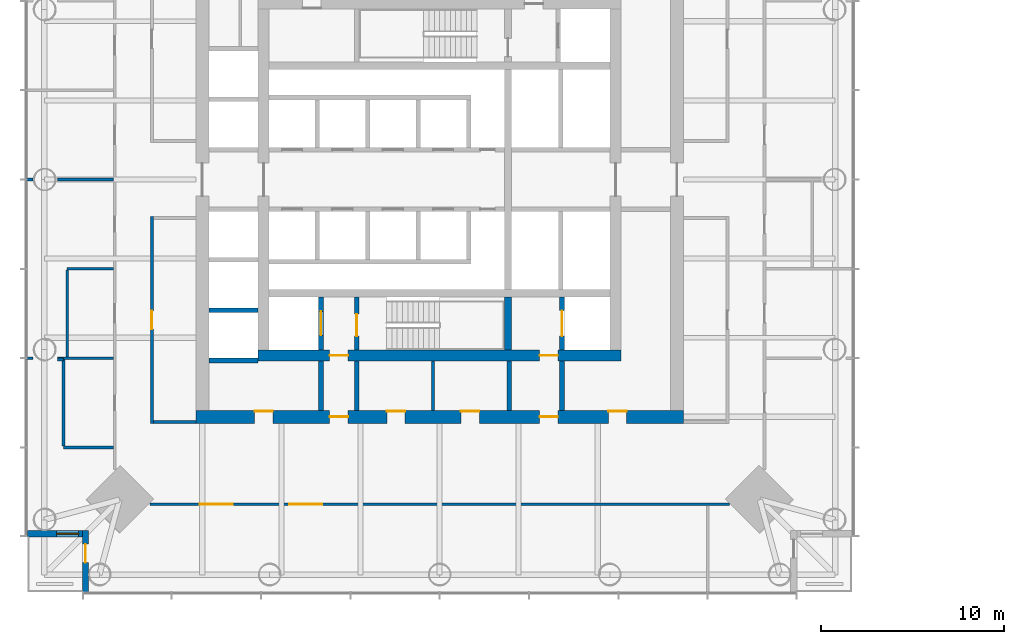
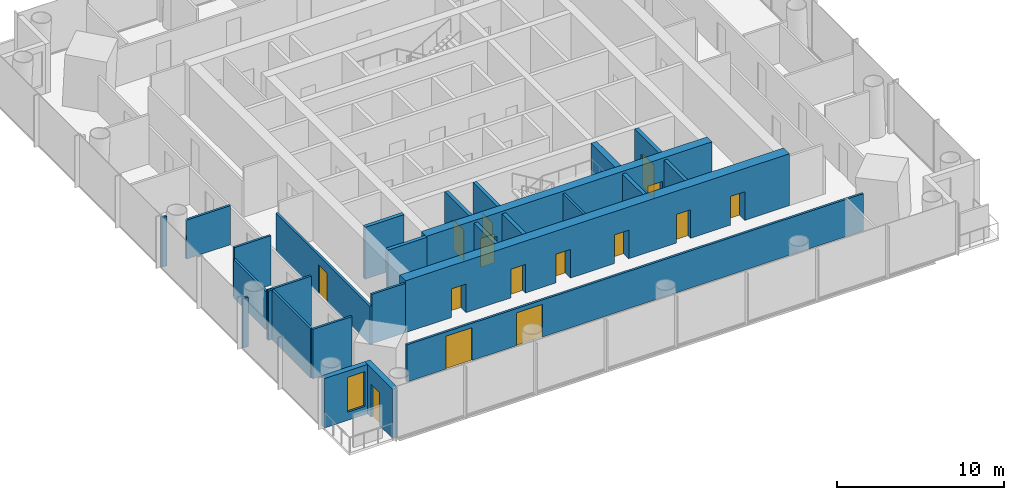
# One storey, part 8 of 18: 27 walls, 15 doors, 1 window, 16 openings.
"""IFC4 building model written with IfcOpenShell, lengths in metres."""

import ifcopenshell
import ifcopenshell.guid

model = None  # the IFC model being written
_history = None  # IfcOwnerHistory: only IFC2X3 demands one
_inside = {}  # id of a spatial element -> (the spatial element, [elements in it])
_under = {}  # id of a project, library or spatial element -> (it, [spatial elements below it])
_declared = {}  # id of a project -> (the project, [libraries it declares])
_typed = {}  # id of a type object -> (the type object, [elements of that type])
_made_of = {}  # id of a material, layer set ... -> (it, [elements and type objects made of it])


def new_model(schema):
    """Start an empty IFC model of exactly this schema.

    Asked for "IFC4X3", IfcOpenShell would pick the latest addendum, in which some entities
    have other attributes; the version numbers below select the first issue.
    IFC2X3 requires an IfcOwnerHistory on every rooted entity: one is made here for all.
    """
    global model, _history
    if schema == "IFC4X3":
        model = ifcopenshell.file(schema_version=(4, 3, 0, 0))
    else:
        model = ifcopenshell.file(schema=schema)
    _inside.clear()
    _under.clear()
    _declared.clear()
    _typed.clear()
    _made_of.clear()
    _history = None
    if model.schema == "IFC2X3":
        org = make("IfcOrganization", Name="unknown")
        user = make(
            "IfcPersonAndOrganization",
            ThePerson=make("IfcPerson", FamilyName="unknown"),
            TheOrganization=org,
        )
        app = make(
            "IfcApplication",
            ApplicationDeveloper=org,
            Version="unknown",
            ApplicationFullName="unknown",
            ApplicationIdentifier="unknown",
        )
        _history = make(
            "IfcOwnerHistory",
            OwningUser=user,
            OwningApplication=app,
            ChangeAction="ADDED",
            CreationDate=0,
        )
    return model


def make(cls, **values):
    """One entity of the class cls with the attributes given. An attribute that is None is left unset."""
    return model.create_entity(
        cls, **{name: value for name, value in values.items() if value is not None}
    )


def rooted(cls, **values):
    """An entity with a GlobalId (a new one), such as an element, a storey or a relation."""
    return make(cls, GlobalId=ifcopenshell.guid.new(), OwnerHistory=_history, **values)


def si_unit(unit_type, name, prefix=None):
    """IfcSIUnit, for example si_unit("LENGTHUNIT", "METRE", prefix="MILLI")."""
    return make("IfcSIUnit", UnitType=unit_type, Prefix=prefix, Name=name)


def assignment(units):
    """IfcUnitAssignment: the units of a project."""
    return None if units is None else make("IfcUnitAssignment", Units=units)


def point(xyz):
    """IfcCartesianPoint."""
    return None if xyz is None else make("IfcCartesianPoint", Coordinates=xyz)


def direction(xyz):
    """IfcDirection."""
    return None if xyz is None else make("IfcDirection", DirectionRatios=xyz)


def frame(location, z_axis=None, x_axis=None):
    """IfcAxis2Placement3D, a coordinate frame: its origin and axes. An axis left out is left unset."""
    return make(
        "IfcAxis2Placement3D",
        Location=point(location),
        Axis=direction(z_axis),
        RefDirection=direction(x_axis),
    )


def frame_2d(location, x_axis=None):
    """IfcAxis2Placement2D, a coordinate frame in the plane: its origin and x axis."""
    return make(
        "IfcAxis2Placement2D", Location=point(location), RefDirection=direction(x_axis)
    )


def origin():
    """The frame at (0, 0, 0) with its axes left unset."""
    return frame((0.0, 0.0, 0.0))


def place(relative_to, where):
    """IfcLocalPlacement: puts the frame where relative to a parent placement (None: the world)."""
    return make(
        "IfcLocalPlacement", PlacementRelTo=relative_to, RelativePlacement=where
    )


def context(
    kind, dimensions, precision=None, world=None, true_north=None, identifier=None
):
    """IfcGeometricRepresentationContext, for example the 3D "Model" context."""
    return make(
        "IfcGeometricRepresentationContext",
        ContextIdentifier=identifier,
        ContextType=kind,
        CoordinateSpaceDimension=dimensions,
        Precision=precision,
        WorldCoordinateSystem=world,
        TrueNorth=true_north,
    )


def subcontext(parent, identifier, kind, view, scale=None):
    """IfcGeometricRepresentationSubContext, for example "Body" below "Model"."""
    return make(
        "IfcGeometricRepresentationSubContext",
        ContextIdentifier=identifier,
        ContextType=kind,
        ParentContext=parent,
        TargetScale=scale,
        TargetView=view,
    )


def project(units=None, contexts=None):
    """IfcProject with its units and contexts."""
    return rooted(
        "IfcProject",
        Name="project",
        RepresentationContexts=contexts,
        UnitsInContext=assignment(units),
    )


def spatial(cls, under=None, at=None, **own):
    """A site, building, storey or space (cls), placed at a placement, below another one or the project."""
    s = rooted(cls, ObjectPlacement=at, **own)
    if under is not None:
        _under.setdefault(under.id(), (under, []))[1].append(s)
    return s


def profile(cls, at=None, kind="AREA", **sizes):
    """A parametric profile (cls). Its sizes go by their IFC names, for example OverallWidth=200.0."""
    return make(cls, ProfileType=kind, Position=at, **sizes)


def rectangle(**sizes):
    """IfcRectangleProfileDef."""
    return profile("IfcRectangleProfileDef", **sizes)


def extrude(swept, where, along, depth):
    """IfcExtrudedAreaSolid: the profile swept, set in the frame where, extruded along a direction by depth."""
    return make(
        "IfcExtrudedAreaSolid",
        SweptArea=swept,
        Position=where,
        ExtrudedDirection=direction(along),
        Depth=depth,
    )


def shape(context_of_items, identifier, shape_type, items):
    """IfcShapeRepresentation: the items that make up one representation, for example the "Body"."""
    return make(
        "IfcShapeRepresentation",
        ContextOfItems=context_of_items,
        RepresentationIdentifier=identifier,
        RepresentationType=shape_type,
        Items=items,
    )


def material(Name=None, Category=None):
    """IfcMaterial."""
    return make("IfcMaterial", Name=Name, Category=Category)


def layer(
    of_material, thickness, ventilated=None, Name=None, Category=None, Priority=None
):
    """IfcMaterialLayer: one layer of a wall or slab, of a material (None: an air gap)."""
    return make(
        "IfcMaterialLayer",
        Material=of_material,
        LayerThickness=thickness,
        IsVentilated=ventilated,
        Name=Name,
        Category=Category,
        Priority=Priority,
    )


def layer_set(layers, Name=None):
    """IfcMaterialLayerSet."""
    return make("IfcMaterialLayerSet", MaterialLayers=layers, LayerSetName=Name)


def made_of(thing, what):
    """Note that an element or type object is made of a material, layer set ...; save() writes the relation."""
    if what is not None:
        _made_of.setdefault(what.id(), (what, []))[1].append(thing)
    return thing


def type_object(cls, material=None, **own):
    """A type object (cls), such as IfcWallType, which elements share."""
    return made_of(rooted(cls, **own), material)


def element(
    cls,
    number,
    at=None,
    inside=None,
    cuts=None,
    type_object=None,
    material=None,
    context=None,
    identifier="Body",
    shape_type=None,
    held_by="IfcProductDefinitionShape",
    body=None,
    shapes=None,
    **own,
):
    """One element of the class cls, such as IfcWall. Its Tag is "e" and its number.

    at: its placement. inside: the storey or other place that contains it. cuts: it is an
    opening in that element (IfcRelVoidsElement). A single representation is given by context,
    identifier, shape_type and body (its items); several are given by shapes. held_by: the class
    of the entity that holds the representations. save() writes the other relations.
    """
    e = rooted(cls, Tag="e%d" % number, ObjectPlacement=at, **own)
    if body is not None:
        shapes = [shape(context, identifier, shape_type, body)]
    if shapes is not None:
        e.Representation = make(held_by, Representations=shapes)
    if inside is not None:
        _inside.setdefault(inside.id(), (inside, []))[1].append(e)
    if cuts is not None:
        rooted(
            "IfcRelVoidsElement", RelatingBuildingElement=cuts, RelatedOpeningElement=e
        )
    if type_object is not None:
        _typed.setdefault(type_object.id(), (type_object, []))[1].append(e)
    return made_of(e, material)


def fill(opening, filler):
    """IfcRelFillsElement: the door or window that sits in an opening."""
    return rooted(
        "IfcRelFillsElement",
        RelatingOpeningElement=opening,
        RelatedBuildingElement=filler,
    )


def aggregate(whole, parts):
    """IfcRelAggregates: a whole, such as a stair, and the parts it consists of."""
    return rooted("IfcRelAggregates", RelatingObject=whole, RelatedObjects=parts)


def save(model, path):
    """Write the relations noted so far, then the file.

    IfcRelAggregates (storeys below a building ...), IfcRelContainedInSpatialStructure (elements
    in a storey), IfcRelDefinesByType, IfcRelAssociatesMaterial and IfcRelDeclares: one each for
    every whole, place, type object, material and project.
    """
    for whole, parts in _under.values():
        aggregate(whole, parts)
    for where, things in _inside.values():
        rooted(
            "IfcRelContainedInSpatialStructure",
            RelatedElements=things,
            RelatingStructure=where,
        )
    for kind, things in _typed.values():
        rooted("IfcRelDefinesByType", RelatedObjects=things, RelatingType=kind)
    for what, things in _made_of.values():
        rooted("IfcRelAssociatesMaterial", RelatedObjects=things, RelatingMaterial=what)
    for by, libraries in _declared.values():
        rooted("IfcRelDeclares", RelatingContext=by, RelatedDefinitions=libraries)
    model.write(path)


model = new_model("IFC4")

# Units and contexts
model_context = context("Model", 3, precision=1e-05, world=origin(), true_north=direction((0.0, 1.0)))
body_context = subcontext(model_context, "Body", "Model", "MODEL_VIEW")
ifc_project = project(units=[si_unit("LENGTHUNIT", "METRE"), si_unit("AREAUNIT", "SQUARE_METRE"), si_unit("VOLUMEUNIT", "CUBIC_METRE"), si_unit("PLANEANGLEUNIT", "RADIAN"), si_unit("MASSUNIT", "GRAM", prefix="KILO")], contexts=[model_context])

# Site, building, storey
site_placement = place(None, origin())
site = spatial("IfcSite", under=ifc_project, at=site_placement, CompositionType="ELEMENT")
building_placement = place(site_placement, origin())
building = spatial("IfcBuilding", under=site, at=building_placement, Name="Ostroluk Exchange", CompositionType="ELEMENT")
storey_placement = place(building_placement, frame((0.0, 0.0, 97.0)))
storey = spatial("IfcBuildingStorey", under=building, at=storey_placement, Name="L24", CompositionType="ELEMENT", Elevation=97.0)

# Walls
ifc_material_1 = material(Name="Concrete blockwork", Category="masonry")
ifc_layer_1 = layer(ifc_material_1, 0.14990234375)
ifc_layer_set_1 = layer_set([ifc_layer_1], Name="Blockwork plant room wall 150")
wall_type_1 = type_object("IfcWallType", Name="Blockwork plant room wall 150", PredefinedType="SOLIDWALL", material=ifc_layer_set_1)
wall_1_placement = place(storey_placement, frame((44.639892578125, 33.39990234375, 0.0), z_axis=(0.0, 0.0, 1.0), x_axis=(0.0, 1.0, 0.0)))
element("IfcWall", 1, at=wall_1_placement, inside=storey, type_object=wall_type_1, Name="Core room wall", PredefinedType="SOLIDWALL", context=body_context, shape_type="SweptSolid", body=[
    extrude(rectangle(XDim=2.7001953125, YDim=0.14990234375, at=frame_2d((1.35009765625, 0.0))), origin(), (0.0, 0.0, 1.0), 3.6201171875),
])
ifc_material_2 = material(Name="Concrete blockwork", Category="masonry")
ifc_layer_2 = layer(ifc_material_2, 0.25)
ifc_layer_set_2 = layer_set([ifc_layer_2], Name="Blockwork stair enclosure wall 250")
wall_type_2 = type_object("IfcWallType", Name="Blockwork stair enclosure wall 250", PredefinedType="SOLIDWALL", material=ifc_layer_set_2)
for number, where, z_axis, x_axis, name in (
    (2, (38.52490234375, 33.39990234375, 0.0), (0.0, 0.0, 1.0), (0.0, 1.0, 0.0), "Fire lobby enclosure wall"),
    (3, (40.47509765625, 33.39990234375, 0.0), (0.0, 0.0, 1.0), (0.0, 1.0, 0.0), "Fire lobby enclosure wall"),
    (4, (48.804931640625, 33.39990234375, 0.0), (0.0, 0.0, 1.0), (0.0, 1.0, 0.0), "Service lobby enclosure wall"),
    (5, (51.675048828125, 33.39990234375, 0.0), (0.0, 0.0, 1.0), (0.0, 1.0, 0.0), "Service lobby enclosure wall"),
):
    element("IfcWall", number, at=place(storey_placement, frame(where, z_axis=z_axis, x_axis=x_axis)), inside=storey, type_object=wall_type_2, Name=name, PredefinedType="SOLIDWALL", context=body_context, shape_type="SweptSolid", body=[
        extrude(rectangle(XDim=2.7001953125, YDim=0.25, at=frame_2d((1.35009765625, 0.0))), origin(), (0.0, 0.0, 1.0), 3.6201171875),
    ])
ifc_material_3 = material(Name="Concrete C50/60", Category="concrete")
ifc_layer_3 = layer(ifc_material_3, 0.39990234375)
ifc_layer_set_3 = layer_set([ifc_layer_3], Name="Core cross wall 400 C50/60")
wall_type_3 = type_object("IfcWallType", Name="Core cross wall 400 C50/60", PredefinedType="SHEAR", material=ifc_layer_set_3)
wall_2_placement = place(storey_placement, frame((48.72998046875, 36.699951171875, 0.0), z_axis=(0.0, 0.0, 1.0), x_axis=(0.0, 1.0, 0.0)))
element("IfcWall", 6, at=wall_2_placement, inside=storey, type_object=wall_type_3, Name="T1 core wall YE1", PredefinedType="SHEAR", context=body_context, shape_type="SweptSolid", body=[
    extrude(rectangle(XDim=2.900146484375, YDim=0.39990234375, at=frame_2d((1.4501953125, 0.0))), origin(), (0.0, 0.0, 1.0), 3.800048828125),
])

# Wall, opening, door
ifc_material_4 = material(Name="Concrete C40/50", Category="concrete")
ifc_layer_4 = layer(ifc_material_4, 0.25)
ifc_layer_set_4 = layer_set([ifc_layer_4], Name="Core shaft wall 250")
wall_type_4 = type_object("IfcWallType", Name="Core shaft wall 250", PredefinedType="SHEAR", material=ifc_layer_set_4)
wall_3_placement = place(storey_placement, frame((38.52490234375, 36.699951171875, 0.0), z_axis=(0.0, 0.0, 1.0), x_axis=(0.0, 1.0, 0.0)))
wall_3 = element("IfcWall", 7, at=wall_3_placement, inside=storey, type_object=wall_type_4, Name="Firefighting lift shaft wall", PredefinedType="SHEAR", context=body_context, shape_type="SweptSolid", body=[
    extrude(rectangle(XDim=2.900146484375, YDim=0.25, at=frame_2d((1.4501953125, 0.0))), origin(), (0.0, 0.0, 1.0), 3.800048828125),
])
opening_1_placement = place(wall_3_placement, frame((0.800048828125, 0.0, 0.0)))
opening_1 = element("IfcOpeningElement", 8, at=opening_1_placement, cuts=wall_3, Name="Opening LD2", PredefinedType="OPENING", context=body_context, shape_type="SweptSolid", body=[
    extrude(rectangle(XDim=1.300048828125, YDim=2.199951171875, at=frame_2d((0.64990234375, 1.10009765625))), frame((0.0, 0.135009765625, 0.0), z_axis=(0.0, -1.0, 0.0), x_axis=(1.0, 0.0, 0.0)), (0.0, 0.0, 1.0), 0.27001953125),
])
ifc_material_5 = material(Name="Stainless steel", Category="steel")
door_type_1 = type_object("IfcDoorType", Name="Lift landing door E 60 1300 x 2200", OperationType="DOUBLE_DOOR_SLIDING", PredefinedType="DOOR", material=ifc_material_5)
door_1_placement = place(opening_1_placement, origin())
door_1 = element("IfcDoor", 9, at=door_1_placement, inside=storey, type_object=door_type_1, Name="Lift FL1 landing door", OperationType="DOUBLE_DOOR_SLIDING", OverallHeight=2.199951171875, OverallWidth=1.300048828125, PredefinedType="DOOR", context=body_context, shape_type="SweptSolid", body=[
    extrude(rectangle(XDim=1.300048828125, YDim=2.199951171875, at=frame_2d((0.64990234375, 1.10009765625))), frame((0.0, 0.02490234375, 0.0), z_axis=(0.0, -1.0, 0.0), x_axis=(1.0, 0.0, 0.0)), (0.0, 0.0, 1.0), 0.050048828125),
])
fill(opening_1, door_1)

wall_4_placement = place(storey_placement, frame((40.47509765625, 36.699951171875, 0.0), z_axis=(0.0, 0.0, 1.0), x_axis=(0.0, 1.0, 0.0)))
wall_4 = element("IfcWall", 10, at=wall_4_placement, inside=storey, type_object=wall_type_4, Name="Stair shaft wall", PredefinedType="SHEAR", context=body_context, shape_type="SweptSolid", body=[
    extrude(rectangle(XDim=2.900146484375, YDim=0.25, at=frame_2d((1.4501953125, 0.0))), origin(), (0.0, 0.0, 1.0), 3.800048828125),
])
opening_2_placement = place(wall_4_placement, frame((0.75, 0.0, 0.0)))
opening_2 = element("IfcOpeningElement", 11, at=opening_2_placement, cuts=wall_4, Name="Opening FD60S", PredefinedType="OPENING", context=body_context, shape_type="SweptSolid", body=[
    extrude(rectangle(XDim=1.199951171875, YDim=2.10009765625, at=frame_2d((0.60009765625, 1.050048828125))), frame((0.0, 0.135009765625, 0.0), z_axis=(0.0, -1.0, 0.0), x_axis=(1.0, 0.0, 0.0)), (0.0, 0.0, 1.0), 0.27001953125),
])
ifc_material_6 = material(Name="Steel", Category="steel")
door_type_2 = type_object("IfcDoorType", Name="Stair door EI 60 1200 x 2100", OperationType="SINGLE_SWING_LEFT", PredefinedType="DOOR", material=ifc_material_6)
door_2_placement = place(opening_2_placement, origin())
door_2 = element("IfcDoor", 12, at=door_2_placement, inside=storey, type_object=door_type_2, Name="Stair T1-S1 door", OperationType="SINGLE_SWING_LEFT", OverallHeight=2.10009765625, OverallWidth=1.199951171875, PredefinedType="DOOR", context=body_context, shape_type="SweptSolid", body=[
    extrude(rectangle(XDim=1.199951171875, YDim=2.10009765625, at=frame_2d((0.60009765625, 1.050048828125))), frame((0.0, 0.02490234375, 0.0), z_axis=(0.0, -1.0, 0.0), x_axis=(1.0, 0.0, 0.0)), (0.0, 0.0, 1.0), 0.050048828125),
])
fill(opening_2, door_2)

wall_5_placement = place(storey_placement, frame((51.675048828125, 36.699951171875, 0.0), z_axis=(0.0, 0.0, 1.0), x_axis=(0.0, 1.0, 0.0)))
wall_5 = element("IfcWall", 13, at=wall_5_placement, inside=storey, type_object=wall_type_4, Name="Service lift shaft wall", PredefinedType="SHEAR", context=body_context, shape_type="SweptSolid", body=[
    extrude(rectangle(XDim=2.900146484375, YDim=0.25, at=frame_2d((1.4501953125, 0.0))), origin(), (0.0, 0.0, 1.0), 3.800048828125),
])
opening_3_placement = place(wall_5_placement, frame((0.75, 0.0, 0.0)))
opening_3 = element("IfcOpeningElement", 14, at=opening_3_placement, cuts=wall_5, Name="Opening LD3", PredefinedType="OPENING", context=body_context, shape_type="SweptSolid", body=[
    extrude(rectangle(XDim=1.39990234375, YDim=2.39990234375, at=frame_2d((0.699951171875, 1.199951171875))), frame((0.0, 0.135009765625, 0.0), z_axis=(0.0, -1.0, 0.0), x_axis=(1.0, 0.0, 0.0)), (0.0, 0.0, 1.0), 0.27001953125),
])
ifc_material_7 = material(Name="Stainless steel", Category="steel")
door_type_3 = type_object("IfcDoorType", Name="Goods lift landing door E 60 1400 x 2400", OperationType="DOUBLE_DOOR_SLIDING", PredefinedType="DOOR", material=ifc_material_7)
door_3_placement = place(opening_3_placement, origin())
door_3 = element("IfcDoor", 15, at=door_3_placement, inside=storey, type_object=door_type_3, Name="Lift SL1 landing door", OperationType="DOUBLE_DOOR_SLIDING", OverallHeight=2.39990234375, OverallWidth=1.39990234375, PredefinedType="DOOR", context=body_context, shape_type="SweptSolid", body=[
    extrude(rectangle(XDim=1.39990234375, YDim=2.39990234375, at=frame_2d((0.699951171875, 1.199951171875))), frame((0.0, 0.02490234375, 0.0), z_axis=(0.0, -1.0, 0.0), x_axis=(1.0, 0.0, 0.0)), (0.0, 0.0, 1.0), 0.050048828125),
])
fill(opening_3, door_3)

# Walls
for number, where, z_axis, x_axis, name in (
    (16, (32.39990234375, 36.125, 0.0), (0.0, 0.0, 1.0), (1.0, 0.0, 0.0), "Lift shaft wall"),
    (17, (32.39990234375, 38.875, 0.0), (0.0, 0.0, 1.0), (1.0, 0.0, 0.0), "Lift shaft wall"),
):
    element("IfcWall", number, at=place(storey_placement, frame(where, z_axis=z_axis, x_axis=x_axis)), inside=storey, type_object=wall_type_4, Name=name, PredefinedType="SHEAR", context=body_context, shape_type="SweptSolid", body=[
        extrude(rectangle(XDim=2.7001953125, YDim=0.25, at=frame_2d((1.35009765625, 0.0))), origin(), (0.0, 0.0, 1.0), 3.800048828125),
    ])

# Wall, openings, doors
ifc_material_8 = material(Name="Concrete C50/60", Category="concrete")
ifc_layer_5 = layer(ifc_material_8, 0.60009765625)
ifc_layer_set_5 = layer_set([ifc_layer_5], Name="Core wall 600 C50/60")
wall_type_5 = type_object("IfcWallType", Name="Core wall 600 C50/60", PredefinedType="SHEAR", material=ifc_layer_set_5)
wall_6_placement = place(storey_placement, frame((35.10009765625, 36.39990234375, 0.0), z_axis=(0.0, 0.0, 1.0), x_axis=(1.0, 0.0, 0.0)))
wall_6 = element("IfcWall", 18, at=wall_6_placement, inside=storey, type_object=wall_type_5, Name="T1 core wall S", PredefinedType="SHEAR", context=body_context, shape_type="SweptSolid", body=[
    extrude(rectangle(XDim=19.7998046875, YDim=0.60009765625, at=frame_2d((9.89990234375, 0.0))), origin(), (0.0, 0.0, 1.0), 3.800048828125),
])
opening_4_placement = place(wall_6_placement, frame((3.89990234375, 0.0, 0.0)))
opening_4 = element("IfcOpeningElement", 19, at=opening_4_placement, cuts=wall_6, Name="Opening FD60", PredefinedType="OPENING", context=body_context, shape_type="SweptSolid", body=[
    extrude(rectangle(XDim=1.0, YDim=2.10009765625, at=frame_2d((0.5, 1.050048828125))), frame((0.0, 0.31005859375, 0.0), z_axis=(0.0, -1.0, 0.0), x_axis=(1.0, 0.0, 0.0)), (0.0, 0.0, 1.0), 0.6201171875),
])
opening_5_placement = place(wall_6_placement, frame((15.35009765625, 0.0, 0.0)))
opening_5 = element("IfcOpeningElement", 20, at=opening_5_placement, cuts=wall_6, Name="Opening FD60", PredefinedType="OPENING", context=body_context, shape_type="SweptSolid", body=[
    extrude(rectangle(XDim=1.0, YDim=2.10009765625, at=frame_2d((0.5, 1.050048828125))), frame((0.0, 0.31005859375, 0.0), z_axis=(0.0, -1.0, 0.0), x_axis=(1.0, 0.0, 0.0)), (0.0, 0.0, 1.0), 0.6201171875),
])
ifc_material_9 = material(Name="Steel", Category="steel")
door_type_4 = type_object("IfcDoorType", Name="Fire door EI 60 1000 x 2100", OperationType="SINGLE_SWING_LEFT", PredefinedType="DOOR", material=ifc_material_9)
door_4_placement = place(opening_4_placement, origin())
door_4 = element("IfcDoor", 21, at=door_4_placement, inside=storey, type_object=door_type_4, Name="Firefighting lobby door", OperationType="SINGLE_SWING_LEFT", OverallHeight=2.10009765625, OverallWidth=1.0, PredefinedType="DOOR", context=body_context, shape_type="SweptSolid", body=[
    extrude(rectangle(XDim=1.0, YDim=2.10009765625, at=frame_2d((0.5, 1.050048828125))), frame((0.0, 0.02490234375, 0.0), z_axis=(0.0, -1.0, 0.0), x_axis=(1.0, 0.0, 0.0)), (0.0, 0.0, 1.0), 0.050048828125),
])
fill(opening_4, door_4)
door_5_placement = place(opening_5_placement, origin())
door_5 = element("IfcDoor", 22, at=door_5_placement, inside=storey, type_object=door_type_4, Name="Service lobby door", OperationType="SINGLE_SWING_RIGHT", OverallHeight=2.10009765625, OverallWidth=1.0, PredefinedType="DOOR", context=body_context, shape_type="SweptSolid", body=[
    extrude(rectangle(XDim=1.0, YDim=2.10009765625, at=frame_2d((0.5, 1.050048828125))), frame((0.0, 0.02490234375, 0.0), z_axis=(0.0, -1.0, 0.0), x_axis=(1.0, 0.0, 0.0)), (0.0, 0.0, 1.0), 0.050048828125),
])
fill(opening_5, door_5)

ifc_material_10 = material(Name="Concrete C50/60", Category="concrete")
ifc_layer_6 = layer(ifc_material_10, 0.699951171875)
ifc_layer_set_6 = layer_set([ifc_layer_6], Name="Core wall 700 C50/60")
wall_type_6 = type_object("IfcWallType", Name="Core wall 700 C50/60", PredefinedType="SHEAR", material=ifc_layer_set_6)
wall_7_placement = place(storey_placement, frame((31.699951171875, 33.050048828125, 0.0), z_axis=(0.0, 0.0, 1.0), x_axis=(1.0, 0.0, 0.0)))
wall_7 = element("IfcWall", 23, at=wall_7_placement, inside=storey, type_object=wall_type_6, Name="T1 core wall RS", PredefinedType="SHEAR", context=body_context, shape_type="SweptSolid", body=[
    extrude(rectangle(XDim=26.60009765625, YDim=0.699951171875, at=frame_2d((13.300048828125, 0.0))), origin(), (0.0, 0.0, 1.0), 3.800048828125),
])
opening_6_placement = place(wall_7_placement, frame((7.300048828125, 0.0, 0.0)))
opening_6 = element("IfcOpeningElement", 24, at=opening_6_placement, cuts=wall_7, Name="Opening FD60", PredefinedType="OPENING", context=body_context, shape_type="SweptSolid", body=[
    extrude(rectangle(XDim=1.0, YDim=2.10009765625, at=frame_2d((0.5, 1.050048828125))), frame((0.0, 0.35986328125, 0.0), z_axis=(0.0, -1.0, 0.0), x_axis=(1.0, 0.0, 0.0)), (0.0, 0.0, 1.0), 0.719970703125),
])
opening_7_placement = place(wall_7_placement, frame((18.75, 0.0, 0.0)))
opening_7 = element("IfcOpeningElement", 25, at=opening_7_placement, cuts=wall_7, Name="Opening FD60", PredefinedType="OPENING", context=body_context, shape_type="SweptSolid", body=[
    extrude(rectangle(XDim=1.0, YDim=2.10009765625, at=frame_2d((0.5, 1.050048828125))), frame((0.0, 0.35986328125, 0.0), z_axis=(0.0, -1.0, 0.0), x_axis=(1.0, 0.0, 0.0)), (0.0, 0.0, 1.0), 0.719970703125),
])
opening_8_placement = place(wall_7_placement, frame((3.199951171875, 0.0, 0.0)))
opening_8 = element("IfcOpeningElement", 26, at=opening_8_placement, cuts=wall_7, Name="Opening FD60", PredefinedType="OPENING", context=body_context, shape_type="SweptSolid", body=[
    extrude(rectangle(XDim=1.0, YDim=2.10009765625, at=frame_2d((0.5, 1.050048828125))), frame((0.0, 0.35986328125, 0.0), z_axis=(0.0, -1.0, 0.0), x_axis=(1.0, 0.0, 0.0)), (0.0, 0.0, 1.0), 0.719970703125),
])
opening_9_placement = place(wall_7_placement, frame((10.419921875, 0.0, 0.0)))
opening_9 = element("IfcOpeningElement", 27, at=opening_9_placement, cuts=wall_7, Name="Opening FD60", PredefinedType="OPENING", context=body_context, shape_type="SweptSolid", body=[
    extrude(rectangle(XDim=1.0, YDim=2.10009765625, at=frame_2d((0.5, 1.050048828125))), frame((0.0, 0.35986328125, 0.0), z_axis=(0.0, -1.0, 0.0), x_axis=(1.0, 0.0, 0.0)), (0.0, 0.0, 1.0), 0.719970703125),
])
opening_10_placement = place(wall_7_placement, frame((14.4599609375, 0.0, 0.0)))
opening_10 = element("IfcOpeningElement", 28, at=opening_10_placement, cuts=wall_7, Name="Opening FD60", PredefinedType="OPENING", context=body_context, shape_type="SweptSolid", body=[
    extrude(rectangle(XDim=1.0, YDim=2.10009765625, at=frame_2d((0.5, 1.050048828125))), frame((0.0, 0.35986328125, 0.0), z_axis=(0.0, -1.0, 0.0), x_axis=(1.0, 0.0, 0.0)), (0.0, 0.0, 1.0), 0.719970703125),
])
opening_11_placement = place(wall_7_placement, frame((22.5, 0.0, 0.0)))
opening_11 = element("IfcOpeningElement", 29, at=opening_11_placement, cuts=wall_7, Name="Opening FD60", PredefinedType="OPENING", context=body_context, shape_type="SweptSolid", body=[
    extrude(rectangle(XDim=1.0, YDim=2.10009765625, at=frame_2d((0.5, 1.050048828125))), frame((0.0, 0.35986328125, 0.0), z_axis=(0.0, -1.0, 0.0), x_axis=(1.0, 0.0, 0.0)), (0.0, 0.0, 1.0), 0.719970703125),
])
door_6_placement = place(opening_6_placement, origin())
door_6 = element("IfcDoor", 30, at=door_6_placement, inside=storey, type_object=door_type_4, Name="Firefighting lobby door", OperationType="SINGLE_SWING_LEFT", OverallHeight=2.10009765625, OverallWidth=1.0, PredefinedType="DOOR", context=body_context, shape_type="SweptSolid", body=[
    extrude(rectangle(XDim=1.0, YDim=2.10009765625, at=frame_2d((0.5, 1.050048828125))), frame((0.0, 0.02490234375, 0.0), z_axis=(0.0, -1.0, 0.0), x_axis=(1.0, 0.0, 0.0)), (0.0, 0.0, 1.0), 0.050048828125),
])
fill(opening_6, door_6)
door_7_placement = place(opening_7_placement, origin())
door_7 = element("IfcDoor", 31, at=door_7_placement, inside=storey, type_object=door_type_4, Name="Service lobby door", OperationType="SINGLE_SWING_RIGHT", OverallHeight=2.10009765625, OverallWidth=1.0, PredefinedType="DOOR", context=body_context, shape_type="SweptSolid", body=[
    extrude(rectangle(XDim=1.0, YDim=2.10009765625, at=frame_2d((0.5, 1.050048828125))), frame((0.0, 0.02490234375, 0.0), z_axis=(0.0, -1.0, 0.0), x_axis=(1.0, 0.0, 0.0)), (0.0, 0.0, 1.0), 0.050048828125),
])
fill(opening_7, door_7)
door_8_placement = place(opening_8_placement, origin())
door_8 = element("IfcDoor", 32, at=door_8_placement, inside=storey, type_object=door_type_4, Name="Archive door", OperationType="SINGLE_SWING_LEFT", OverallHeight=2.10009765625, OverallWidth=1.0, PredefinedType="DOOR", context=body_context, shape_type="SweptSolid", body=[
    extrude(rectangle(XDim=1.0, YDim=2.10009765625, at=frame_2d((0.5, 1.050048828125))), frame((0.0, 0.33984375, 0.0), z_axis=(0.0, -1.0, 0.0), x_axis=(1.0, 0.0, 0.0)), (0.0, 0.0, 1.0), 0.050048828125),
])
fill(opening_8, door_8)
door_9_placement = place(opening_9_placement, origin())
door_9 = element("IfcDoor", 33, at=door_9_placement, inside=storey, type_object=door_type_4, Name="Tea point door", OperationType="SINGLE_SWING_LEFT", OverallHeight=2.10009765625, OverallWidth=1.0, PredefinedType="DOOR", context=body_context, shape_type="SweptSolid", body=[
    extrude(rectangle(XDim=1.0, YDim=2.10009765625, at=frame_2d((0.5, 1.050048828125))), frame((0.0, 0.33984375, 0.0), z_axis=(0.0, -1.0, 0.0), x_axis=(1.0, 0.0, 0.0)), (0.0, 0.0, 1.0), 0.050048828125),
])
fill(opening_9, door_9)
door_10_placement = place(opening_10_placement, origin())
door_10 = element("IfcDoor", 34, at=door_10_placement, inside=storey, type_object=door_type_4, Name="Print and post room door", OperationType="SINGLE_SWING_RIGHT", OverallHeight=2.10009765625, OverallWidth=1.0, PredefinedType="DOOR", context=body_context, shape_type="SweptSolid", body=[
    extrude(rectangle(XDim=1.0, YDim=2.10009765625, at=frame_2d((0.5, 1.050048828125))), frame((0.0, 0.33984375, 0.0), z_axis=(0.0, -1.0, 0.0), x_axis=(1.0, 0.0, 0.0)), (0.0, 0.0, 1.0), 0.050048828125),
])
fill(opening_10, door_10)
door_11_placement = place(opening_11_placement, origin())
door_11 = element("IfcDoor", 35, at=door_11_placement, inside=storey, type_object=door_type_4, Name="Tenant IT room door", OperationType="SINGLE_SWING_RIGHT", OverallHeight=2.10009765625, OverallWidth=1.0, PredefinedType="DOOR", context=body_context, shape_type="SweptSolid", body=[
    extrude(rectangle(XDim=1.0, YDim=2.10009765625, at=frame_2d((0.5, 1.050048828125))), frame((0.0, 0.33984375, 0.0), z_axis=(0.0, -1.0, 0.0), x_axis=(1.0, 0.0, 0.0)), (0.0, 0.0, 1.0), 0.050048828125),
])
fill(opening_11, door_11)

# Wall, opening, door
ifc_material_11 = material(Name="Limestone", Category="masonry")
ifc_layer_7 = layer(ifc_material_11, 0.35009765625)
ifc_layer_set_7 = layer_set([ifc_layer_7], Name="Limestone facade wall 350")
wall_type_7 = type_object("IfcWallType", Name="Limestone facade wall 350", PredefinedType="SOLIDWALL", material=ifc_layer_set_7)
wall_8_placement = place(storey_placement, frame((25.675048828125, 23.5, 0.0), z_axis=(0.0, 0.0, 1.0), x_axis=(0.0, 1.0, 0.0)))
wall_8 = element("IfcWall", 36, at=wall_8_placement, inside=storey, type_object=wall_type_7, Name="Office tower SW corner wall L24 a", PredefinedType="SOLIDWALL", context=body_context, shape_type="SweptSolid", body=[
    extrude(rectangle(XDim=3.35009765625, YDim=0.35009765625, at=frame_2d((1.675048828125, 0.0))), origin(), (0.0, 0.0, 1.0), 3.6201171875),
])
opening_12_placement = place(wall_8_placement, frame((1.60009765625, 0.0, 0.0)))
opening_12 = element("IfcOpeningElement", 37, at=opening_12_placement, cuts=wall_8, Name="Opening D-B1", PredefinedType="OPENING", context=body_context, shape_type="SweptSolid", body=[
    extrude(rectangle(XDim=1.0, YDim=2.39990234375, at=frame_2d((0.5, 1.199951171875))), frame((0.0, 0.18505859375, 0.0), z_axis=(0.0, -1.0, 0.0), x_axis=(1.0, 0.0, 0.0)), (0.0, 0.0, 1.0), 0.3701171875),
])
ifc_material_12 = material(Name="Bronze framed glazed door", Category="aluminium")
door_type_5 = type_object("IfcDoorType", Name="Balcony door 1000 x 2400", OperationType="SINGLE_SWING_LEFT", PredefinedType="DOOR", material=ifc_material_12)
door_12_placement = place(opening_12_placement, origin())
door_12 = element("IfcDoor", 38, at=door_12_placement, inside=storey, type_object=door_type_5, Name="Office tower SW balcony door L24", OperationType="SINGLE_SWING_RIGHT", OverallHeight=2.39990234375, OverallWidth=1.0, PredefinedType="DOOR", context=body_context, shape_type="SweptSolid", body=[
    extrude(rectangle(XDim=1.0, YDim=2.39990234375, at=frame_2d((0.5, 1.199951171875))), frame((0.0, 0.02490234375, 0.0), z_axis=(0.0, -1.0, 0.0), x_axis=(1.0, 0.0, 0.0)), (0.0, 0.0, 1.0), 0.050048828125),
])
fill(opening_12, door_12)

# Wall, opening, window
wall_9_placement = place(storey_placement, frame((25.5, 26.675048828125, 0.0), z_axis=(0.0, 0.0, 1.0), x_axis=(-1.0, 0.0, 0.0)))
wall_9 = element("IfcWall", 39, at=wall_9_placement, inside=storey, type_object=wall_type_7, Name="Office tower SW corner wall L24 b", PredefinedType="SOLIDWALL", context=body_context, shape_type="SweptSolid", body=[
    extrude(rectangle(XDim=3.0, YDim=0.35009765625, at=frame_2d((1.5, 0.0))), origin(), (0.0, 0.0, 1.0), 3.6201171875),
])
opening_13_placement = place(wall_9_placement, frame((0.199951171875, 0.0, 0.60009765625)))
opening_13 = element("IfcOpeningElement", 40, at=opening_13_placement, cuts=wall_9, Name="Opening WN-L1", PredefinedType="OPENING", context=body_context, shape_type="SweptSolid", body=[
    extrude(rectangle(XDim=1.199951171875, YDim=2.550048828125, at=frame_2d((0.60009765625, 1.27490234375))), frame((0.0, 0.18505859375, 0.0), z_axis=(0.0, -1.0, 0.0), x_axis=(1.0, 0.0, 0.0)), (0.0, 0.0, 1.0), 0.3701171875),
])
ifc_material_13 = material(Name="Laminated clear glass", Category="glass")
window_type = type_object("IfcWindowType", Name="Lancet window 1200 x 2550", PartitioningType="SINGLE_PANEL", PredefinedType="WINDOW", material=ifc_material_13)
window_placement = place(opening_13_placement, origin())
window = element("IfcWindow", 41, at=window_placement, inside=storey, type_object=window_type, Name="Office tower SW lancet window L24", OverallHeight=2.550048828125, OverallWidth=1.199951171875, PartitioningType="SINGLE_PANEL", PredefinedType="WINDOW", context=body_context, shape_type="SweptSolid", body=[
    extrude(rectangle(XDim=1.199951171875, YDim=2.550048828125, at=frame_2d((0.60009765625, 1.27490234375))), frame((0.0, 0.030029296875, 0.0), z_axis=(0.0, -1.0, 0.0), x_axis=(1.0, 0.0, 0.0)), (0.0, 0.0, 1.0), 0.06005859375),
])
fill(opening_13, window)

# Wall, opening, door
ifc_material_14 = material(Name="Gypsum plasterboard partition", Category="gypsum")
ifc_layer_8 = layer(ifc_material_14, 0.14990234375)
ifc_layer_set_8 = layer_set([ifc_layer_8], Name="Plasterboard partition 150")
wall_type_8 = type_object("IfcWallType", Name="Plasterboard partition 150", PredefinedType="PARTITIONING", material=ifc_layer_set_8)
wall_10_placement = place(storey_placement, frame((29.300048828125, 43.97509765625, 0.0), z_axis=(0.0, 0.0, 1.0), x_axis=(0.0, -1.0, 0.0)))
wall_10 = element("IfcWall", 42, at=wall_10_placement, inside=storey, type_object=wall_type_8, Name="Partition", PredefinedType="PARTITIONING", context=body_context, shape_type="SweptSolid", body=[
    extrude(rectangle(XDim=11.275146484375, YDim=0.14990234375, at=frame_2d((5.6376953125, 0.0))), origin(), (0.0, 0.0, 1.0), 2.805908203125),
])
opening_14_placement = place(wall_10_placement, frame((5.137451171875, 0.0, 0.0)))
opening_14 = element("IfcOpeningElement", 43, at=opening_14_placement, cuts=wall_10, Name="Opening D-03", PredefinedType="OPENING", context=body_context, shape_type="SweptSolid", body=[
    extrude(rectangle(XDim=1.0, YDim=2.10009765625, at=frame_2d((0.5, 1.050048828125))), frame((0.0, 0.0849609375, 0.0), z_axis=(0.0, -1.0, 0.0), x_axis=(1.0, 0.0, 0.0)), (0.0, 0.0, 1.0), 0.169921875),
])
ifc_material_15 = material(Name="Timber", Category="wood")
door_type_6 = type_object("IfcDoorType", Name="Internal door 1000 x 2100", OperationType="SINGLE_SWING_LEFT", PredefinedType="DOOR", material=ifc_material_15)
door_13_placement = place(opening_14_placement, origin())
door_13 = element("IfcDoor", 44, at=door_13_placement, inside=storey, type_object=door_type_6, Name="Quiet room door", OperationType="SINGLE_SWING_RIGHT", OverallHeight=2.10009765625, OverallWidth=1.0, PredefinedType="DOOR", context=body_context, shape_type="SweptSolid", body=[
    extrude(rectangle(XDim=1.0, YDim=2.10009765625, at=frame_2d((0.5, 1.050048828125))), frame((0.0, 0.02490234375, 0.0), z_axis=(0.0, -1.0, 0.0), x_axis=(1.0, 0.0, 0.0)), (0.0, 0.0, 1.0), 0.050048828125),
])
fill(opening_14, door_13)

# Walls
wall_11_placement = place(storey_placement, frame((31.699951171875, 32.77490234375, 0.0), z_axis=(0.0, 0.0, 1.0), x_axis=(-1.0, 0.0, 0.0)))
element("IfcWall", 45, at=wall_11_placement, inside=storey, type_object=wall_type_8, Name="Partition", PredefinedType="PARTITIONING", context=body_context, shape_type="SweptSolid", body=[
    extrude(rectangle(XDim=2.324951171875, YDim=0.14990234375, at=frame_2d((1.16259765625, 0.0))), origin(), (0.0, 0.0, 1.0), 3.6201171875),
])
wall_12_placement = place(storey_placement, frame((27.199951171875, 46.0, 0.0), z_axis=(0.0, 0.0, 1.0), x_axis=(-1.0, 0.0, 0.0)))
element("IfcWall", 46, at=wall_12_placement, inside=storey, type_object=wall_type_8, Name="Partition", PredefinedType="PARTITIONING", context=body_context, shape_type="SweptSolid", body=[
    extrude(rectangle(XDim=3.04052734375, YDim=0.14990234375, at=frame_2d((1.520263671875, 0.0))), origin(), (0.0, 0.0, 1.0), 2.85791015625),
])
wall_13_placement = place(storey_placement, frame((22.819091796875, 46.0, 0.0), z_axis=(0.0, 0.0, 1.0), x_axis=(-1.0, 0.0, 0.0)))
element("IfcWall", 47, at=wall_13_placement, inside=storey, type_object=wall_type_8, Name="Partition", PredefinedType="PARTITIONING", context=body_context, shape_type="SweptSolid", body=[
    extrude(rectangle(XDim=0.359130859375, YDim=0.14990234375, at=frame_2d((0.1796875, 0.0))), origin(), (0.0, 0.0, 1.0), 3.6201171875),
])
wall_14_placement = place(storey_placement, frame((27.199951171875, 41.125, 0.0), z_axis=(0.0, 0.0, 1.0), x_axis=(-1.0, 0.0, 0.0)))
element("IfcWall", 48, at=wall_14_placement, inside=storey, type_object=wall_type_8, Name="Partition", PredefinedType="PARTITIONING", context=body_context, shape_type="SweptSolid", body=[
    extrude(rectangle(XDim=2.52490234375, YDim=0.14990234375, at=frame_2d((1.262451171875, 0.0))), origin(), (0.0, 0.0, 1.0), 3.6201171875),
])
wall_15_placement = place(storey_placement, frame((27.199951171875, 36.25, 0.0), z_axis=(0.0, 0.0, 1.0), x_axis=(-1.0, 0.0, 0.0)))
element("IfcWall", 49, at=wall_15_placement, inside=storey, type_object=wall_type_8, Name="Partition", PredefinedType="PARTITIONING", context=body_context, shape_type="SweptSolid", body=[
    extrude(rectangle(XDim=3.04052734375, YDim=0.14990234375, at=frame_2d((1.520263671875, 0.0))), origin(), (0.0, 0.0, 1.0), 3.6201171875),
])
wall_16_placement = place(storey_placement, frame((22.819091796875, 36.25, 0.0), z_axis=(0.0, 0.0, 1.0), x_axis=(-1.0, 0.0, 0.0)))
element("IfcWall", 50, at=wall_16_placement, inside=storey, type_object=wall_type_8, Name="Partition", PredefinedType="PARTITIONING", context=body_context, shape_type="SweptSolid", body=[
    extrude(rectangle(XDim=0.359130859375, YDim=0.14990234375, at=frame_2d((0.1796875, 0.0))), origin(), (0.0, 0.0, 1.0), 3.6201171875),
])
wall_17_placement = place(storey_placement, frame((27.199951171875, 31.375, 0.0), z_axis=(0.0, 0.0, 1.0), x_axis=(-1.0, 0.0, 0.0)))
element("IfcWall", 51, at=wall_17_placement, inside=storey, type_object=wall_type_8, Name="Partition", PredefinedType="PARTITIONING", context=body_context, shape_type="SweptSolid", body=[
    extrude(rectangle(XDim=2.724853515625, YDim=0.14990234375, at=frame_2d((1.3623046875, 0.0))), origin(), (0.0, 0.0, 1.0), 3.6201171875),
])

# Wall, openings, doors
wall_18_placement = place(storey_placement, frame((29.1884765625, 28.27490234375, 0.0), z_axis=(0.0, 0.0, 1.0), x_axis=(1.0, 0.0, 0.0)))
wall_18 = element("IfcWall", 52, at=wall_18_placement, inside=storey, type_object=wall_type_8, Name="Partition", PredefinedType="PARTITIONING", context=body_context, shape_type="SweptSolid", body=[
    extrude(rectangle(XDim=31.623046875, YDim=0.14990234375, at=frame_2d((15.8115234375, 0.0))), origin(), (0.0, 0.0, 1.0), 2.719970703125),
])
opening_15_placement = place(wall_18_placement, frame((2.72412109375, 0.0, 0.0)))
opening_15 = element("IfcOpeningElement", 53, at=opening_15_placement, cuts=wall_18, Name="Opening D-04", PredefinedType="OPENING", context=body_context, shape_type="SweptSolid", body=[
    extrude(rectangle(XDim=1.800048828125, YDim=2.39990234375, at=frame_2d((0.89990234375, 1.199951171875))), frame((0.0, 0.0849609375, 0.0), z_axis=(0.0, -1.0, 0.0), x_axis=(1.0, 0.0, 0.0)), (0.0, 0.0, 1.0), 0.169921875),
])
opening_16_placement = place(wall_18_placement, frame((7.59912109375, 0.0, 0.0)))
opening_16 = element("IfcOpeningElement", 54, at=opening_16_placement, cuts=wall_18, Name="Opening D-04", PredefinedType="OPENING", context=body_context, shape_type="SweptSolid", body=[
    extrude(rectangle(XDim=1.800048828125, YDim=2.39990234375, at=frame_2d((0.89990234375, 1.199951171875))), frame((0.0, 0.0849609375, 0.0), z_axis=(0.0, -1.0, 0.0), x_axis=(1.0, 0.0, 0.0)), (0.0, 0.0, 1.0), 0.169921875),
])
ifc_material_16 = material(Name="Timber", Category="wood")
door_type_7 = type_object("IfcDoorType", Name="Double door 1800 x 2400", OperationType="DOUBLE_DOOR_SINGLE_SWING", PredefinedType="DOOR", material=ifc_material_16)
door_14_placement = place(opening_15_placement, origin())
door_14 = element("IfcDoor", 55, at=door_14_placement, inside=storey, type_object=door_type_7, Name="Open plan office door", OperationType="DOUBLE_DOOR_SINGLE_SWING", OverallHeight=2.39990234375, OverallWidth=1.800048828125, PredefinedType="DOOR", context=body_context, shape_type="SweptSolid", body=[
    extrude(rectangle(XDim=1.800048828125, YDim=2.39990234375, at=frame_2d((0.89990234375, 1.199951171875))), frame((0.0, 0.02490234375, 0.0), z_axis=(0.0, -1.0, 0.0), x_axis=(1.0, 0.0, 0.0)), (0.0, 0.0, 1.0), 0.050048828125),
])
fill(opening_15, door_14)
door_15_placement = place(opening_16_placement, origin())
door_15 = element("IfcDoor", 56, at=door_15_placement, inside=storey, type_object=door_type_7, Name="Open plan office door", OperationType="DOUBLE_DOOR_SINGLE_SWING", OverallHeight=2.39990234375, OverallWidth=1.800048828125, PredefinedType="DOOR", context=body_context, shape_type="SweptSolid", body=[
    extrude(rectangle(XDim=1.800048828125, YDim=2.39990234375, at=frame_2d((0.89990234375, 1.199951171875))), frame((0.0, 0.02490234375, 0.0), z_axis=(0.0, -1.0, 0.0), x_axis=(1.0, 0.0, 0.0)), (0.0, 0.0, 1.0), 0.050048828125),
])
fill(opening_16, door_15)

# Walls
ifc_material_17 = material(Name="Gypsum plasterboard partition, moisture resistant", Category="gypsum")
ifc_layer_9 = layer(ifc_material_17, 0.14990234375)
ifc_layer_set_9 = layer_set([ifc_layer_9], Name="Plasterboard toilet partition 150")
wall_type_9 = type_object("IfcWallType", Name="Plasterboard toilet partition 150", PredefinedType="PARTITIONING", material=ifc_layer_set_9)
wall_19_placement = place(storey_placement, frame((24.675048828125, 41.050048828125, 0.0), z_axis=(0.0, 0.0, 1.0), x_axis=(0.0, -1.0, 0.0)))
element("IfcWall", 57, at=wall_19_placement, inside=storey, type_object=wall_type_9, Name="Toilet partition", PredefinedType="PARTITIONING", context=body_context, shape_type="SweptSolid", body=[
    extrude(rectangle(XDim=4.72509765625, YDim=0.14990234375, at=frame_2d((2.362548828125, 0.0))), origin(), (0.0, 0.0, 1.0), 2.805908203125),
])
wall_20_placement = place(storey_placement, frame((24.47509765625, 36.175048828125, 0.0), z_axis=(0.0, 0.0, 1.0), x_axis=(0.0, -1.0, 0.0)))
element("IfcWall", 58, at=wall_20_placement, inside=storey, type_object=wall_type_9, Name="Toilet partition", PredefinedType="PARTITIONING", context=body_context, shape_type="SweptSolid", body=[
    extrude(rectangle(XDim=4.72509765625, YDim=0.14990234375, at=frame_2d((2.362548828125, 0.0))), origin(), (0.0, 0.0, 1.0), 3.6201171875),
])
wall_21_placement = place(storey_placement, frame((24.47509765625, 36.175048828125, 0.0), z_axis=(0.0, 0.0, 1.0), x_axis=(-1.0, 0.0, 0.0)))
element("IfcWall", 59, at=wall_21_placement, inside=storey, type_object=wall_type_9, Name="Toilet partition", PredefinedType="PARTITIONING", context=body_context, shape_type="SweptSolid", body=[
    extrude(rectangle(XDim=0.315673828125, YDim=0.14990234375, at=frame_2d((0.15771484375, 0.0))), origin(), (0.0, 0.0, 1.0), 3.6201171875),
])

save(model, "model.ifc")
